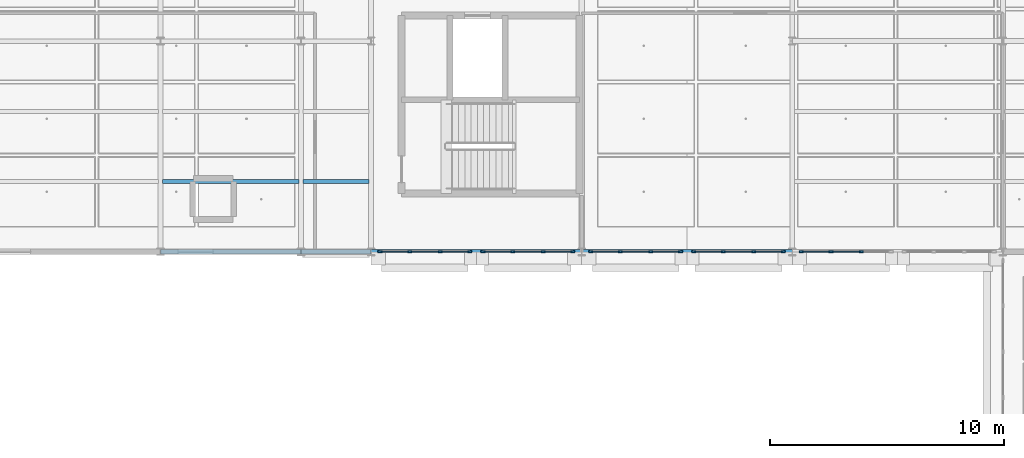
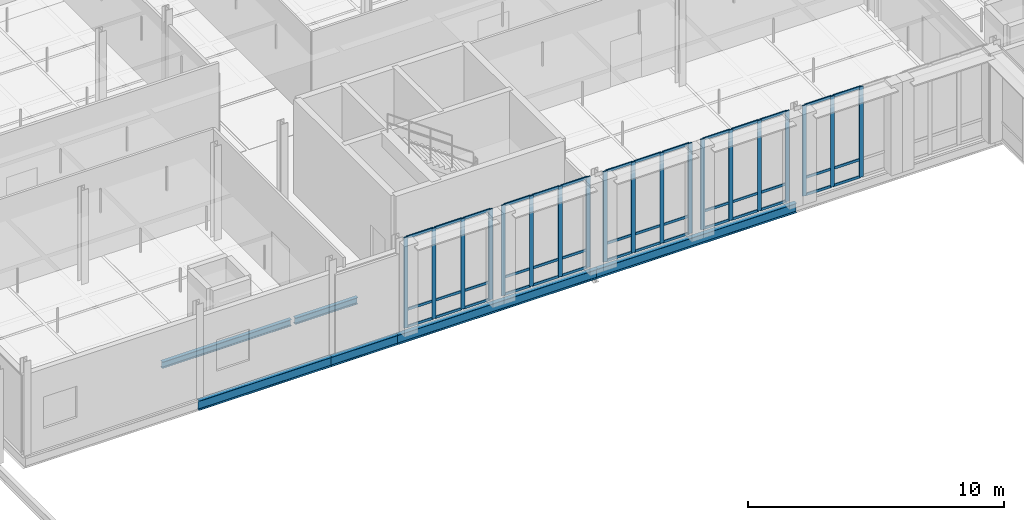
# One storey, part 36 of 130: 61 members, 6 beams, 5 elements without a shape of their own.
"""IFC4 building model written with IfcOpenShell, lengths in metres."""

from ifc_helpers import new_model, si_unit, direction, frame, origin, origin_2d, place, context, subcontext, project, spatial, rectangle, i_section, extrude, material, material_profile, profile_set, type_object, element, aggregate, save


model = new_model("IFC4")

# Units and contexts
model_context = context("Model", 3, precision=1e-05, world=origin(), true_north=direction((0.0, 1.0)))
body_context = subcontext(model_context, "Body", "Model", "MODEL_VIEW")
ifc_project = project(units=[si_unit("LENGTHUNIT", "METRE"), si_unit("AREAUNIT", "SQUARE_METRE"), si_unit("VOLUMEUNIT", "CUBIC_METRE"), si_unit("PLANEANGLEUNIT", "RADIAN"), si_unit("MASSUNIT", "GRAM", prefix="KILO"), si_unit("THERMODYNAMICTEMPERATUREUNIT", "KELVIN"), si_unit("POWERUNIT", "WATT")], contexts=[model_context])

# Site, building, storey
site_placement = place(None, origin())
site = spatial("IfcSite", under=ifc_project, at=site_placement, CompositionType="ELEMENT")
building_placement = place(site_placement, origin())
building = spatial("IfcBuilding", under=site, at=building_placement, Name="Tallowbark Science Centre", CompositionType="ELEMENT")
storey_placement = place(building_placement, frame((0.0, 0.0, 5.39990234375)))
storey = spatial("IfcBuildingStorey", under=building, at=storey_placement, Name="L01", CompositionType="ELEMENT", Elevation=5.39990234375)

# Curtain wall, members
ifc_material_1 = material(Name="Unitised Thermally Broken Aluminium and Low-E Double Glazing", Category="aluminium")
curtain_wall_type = type_object("IfcCurtainWallType", Name="CW-SYS-FACADE", PredefinedType="NOTDEFINED", material=ifc_material_1)
curtain_wall_1_placement = place(storey_placement, origin())
curtain_wall_1 = element("IfcCurtainWall", 1, at=curtain_wall_1_placement, inside=storey, type_object=curtain_wall_type, Name="Unitised Curtain Wall LAB-S-72A CW-L01-039", PredefinedType="NOTDEFINED")
ifc_material_2 = material(Name="Anodised Architectural Aluminium Alloy 6063-T6", Category="aluminium")
ifc_material_profile_1 = material_profile(ifc_material_2, rectangle(XDim=0.06494140625, YDim=0.179931640625, at=origin_2d()), Name="ALU65x180")
ifc_profile_set_1 = profile_set([ifc_material_profile_1], Name="Anodised Architectural Aluminium Alloy 6063-T6")
member_type_1 = type_object("IfcMemberType", Name="CWM-MUL-220", PredefinedType="MULLION", material=ifc_profile_set_1)
member_1_placement = place(storey_placement, frame((72.382568359375, 72.0, 0.0), z_axis=(0.0, 0.0, 1.0), x_axis=(0.0, 1.0, 0.0)))
member_1 = element("IfcMember", 2, at=member_1_placement, type_object=member_type_1, Name="CW-01 mullion 1", PredefinedType="MULLION", context=body_context, shape_type="SweptSolid", body=[
    extrude(rectangle(XDim=0.06494140625, YDim=0.179931640625, at=origin_2d()), origin(), (0.0, 0.0, 1.0), 4.320068359375),
])
member_2_placement = place(storey_placement, frame((73.64990234375, 72.0, 0.0), z_axis=(0.0, 0.0, 1.0), x_axis=(0.0, 1.0, 0.0)))
member_2 = element("IfcMember", 3, at=member_2_placement, type_object=member_type_1, Name="CW-01 mullion 2", PredefinedType="MULLION", context=body_context, shape_type="SweptSolid", body=[
    extrude(rectangle(XDim=0.06494140625, YDim=0.179931640625, at=origin_2d()), origin(), (0.0, 0.0, 1.0), 4.320068359375),
])
member_3_placement = place(storey_placement, frame((74.949951171875, 72.0, 0.0), z_axis=(0.0, 0.0, 1.0), x_axis=(0.0, 1.0, 0.0)))
member_3 = element("IfcMember", 4, at=member_3_placement, type_object=member_type_1, Name="CW-01 mullion 3", PredefinedType="MULLION", context=body_context, shape_type="SweptSolid", body=[
    extrude(rectangle(XDim=0.06494140625, YDim=0.179931640625, at=origin_2d()), origin(), (0.0, 0.0, 1.0), 4.320068359375),
])
member_4_placement = place(storey_placement, frame((76.217529296875, 72.0, 0.0), z_axis=(0.0, 0.0, 1.0), x_axis=(0.0, 1.0, 0.0)))
member_4 = element("IfcMember", 5, at=member_4_placement, type_object=member_type_1, Name="CW-01 mullion 4", PredefinedType="MULLION", context=body_context, shape_type="SweptSolid", body=[
    extrude(rectangle(XDim=0.06494140625, YDim=0.179931640625, at=origin_2d()), origin(), (0.0, 0.0, 1.0), 4.320068359375),
])

curtain_wall_2_placement = place(storey_placement, origin())
curtain_wall_2 = element("IfcCurtainWall", 6, at=curtain_wall_2_placement, inside=storey, type_object=curtain_wall_type, Name="Unitised Curtain Wall LAB-S-72B CW-L01-040", PredefinedType="NOTDEFINED")
member_5_placement = place(storey_placement, frame((76.782470703125, 72.0, 0.0), z_axis=(0.0, 0.0, 1.0), x_axis=(0.0, 1.0, 0.0)))
member_5 = element("IfcMember", 7, at=member_5_placement, type_object=member_type_1, Name="CW-01 mullion 1", PredefinedType="MULLION", context=body_context, shape_type="SweptSolid", body=[
    extrude(rectangle(XDim=0.06494140625, YDim=0.179931640625, at=origin_2d()), origin(), (0.0, 0.0, 1.0), 4.320068359375),
])
member_6_placement = place(storey_placement, frame((78.050048828125, 72.0, 0.0), z_axis=(0.0, 0.0, 1.0), x_axis=(0.0, 1.0, 0.0)))
member_6 = element("IfcMember", 8, at=member_6_placement, type_object=member_type_1, Name="CW-01 mullion 2", PredefinedType="MULLION", context=body_context, shape_type="SweptSolid", body=[
    extrude(rectangle(XDim=0.06494140625, YDim=0.179931640625, at=origin_2d()), origin(), (0.0, 0.0, 1.0), 4.320068359375),
])
member_7_placement = place(storey_placement, frame((79.35009765625, 72.0, 0.0), z_axis=(0.0, 0.0, 1.0), x_axis=(0.0, 1.0, 0.0)))
member_7 = element("IfcMember", 9, at=member_7_placement, type_object=member_type_1, Name="CW-01 mullion 3", PredefinedType="MULLION", context=body_context, shape_type="SweptSolid", body=[
    extrude(rectangle(XDim=0.06494140625, YDim=0.179931640625, at=origin_2d()), origin(), (0.0, 0.0, 1.0), 4.320068359375),
])
member_8_placement = place(storey_placement, frame((80.617431640625, 72.0, 0.0), z_axis=(0.0, 0.0, 1.0), x_axis=(0.0, 1.0, 0.0)))
member_8 = element("IfcMember", 10, at=member_8_placement, type_object=member_type_1, Name="CW-01 mullion 4", PredefinedType="MULLION", context=body_context, shape_type="SweptSolid", body=[
    extrude(rectangle(XDim=0.06494140625, YDim=0.179931640625, at=origin_2d()), origin(), (0.0, 0.0, 1.0), 4.320068359375),
])

curtain_wall_3_placement = place(storey_placement, origin())
curtain_wall_3 = element("IfcCurtainWall", 11, at=curtain_wall_3_placement, inside=storey, type_object=curtain_wall_type, Name="Unitised Curtain Wall LAB-S-81A CW-L01-041", PredefinedType="NOTDEFINED")
member_9_placement = place(storey_placement, frame((81.382568359375, 72.0, 0.0), z_axis=(0.0, 0.0, 1.0), x_axis=(0.0, 1.0, 0.0)))
member_9 = element("IfcMember", 12, at=member_9_placement, type_object=member_type_1, Name="CW-01 mullion 1", PredefinedType="MULLION", context=body_context, shape_type="SweptSolid", body=[
    extrude(rectangle(XDim=0.06494140625, YDim=0.179931640625, at=origin_2d()), origin(), (0.0, 0.0, 1.0), 4.320068359375),
])
member_10_placement = place(storey_placement, frame((82.64990234375, 72.0, 0.0), z_axis=(0.0, 0.0, 1.0), x_axis=(0.0, 1.0, 0.0)))
member_10 = element("IfcMember", 13, at=member_10_placement, type_object=member_type_1, Name="CW-01 mullion 2", PredefinedType="MULLION", context=body_context, shape_type="SweptSolid", body=[
    extrude(rectangle(XDim=0.06494140625, YDim=0.179931640625, at=origin_2d()), origin(), (0.0, 0.0, 1.0), 4.320068359375),
])
member_11_placement = place(storey_placement, frame((83.949951171875, 72.0, 0.0), z_axis=(0.0, 0.0, 1.0), x_axis=(0.0, 1.0, 0.0)))
member_11 = element("IfcMember", 14, at=member_11_placement, type_object=member_type_1, Name="CW-01 mullion 3", PredefinedType="MULLION", context=body_context, shape_type="SweptSolid", body=[
    extrude(rectangle(XDim=0.06494140625, YDim=0.179931640625, at=origin_2d()), origin(), (0.0, 0.0, 1.0), 4.320068359375),
])
member_12_placement = place(storey_placement, frame((85.217529296875, 72.0, 0.0), z_axis=(0.0, 0.0, 1.0), x_axis=(0.0, 1.0, 0.0)))
member_12 = element("IfcMember", 15, at=member_12_placement, type_object=member_type_1, Name="CW-01 mullion 4", PredefinedType="MULLION", context=body_context, shape_type="SweptSolid", body=[
    extrude(rectangle(XDim=0.06494140625, YDim=0.179931640625, at=origin_2d()), origin(), (0.0, 0.0, 1.0), 4.320068359375),
])

curtain_wall_4_placement = place(storey_placement, origin())
curtain_wall_4 = element("IfcCurtainWall", 16, at=curtain_wall_4_placement, inside=storey, type_object=curtain_wall_type, Name="Unitised Curtain Wall LAB-S-81B CW-L01-042", PredefinedType="NOTDEFINED")
member_13_placement = place(storey_placement, frame((85.782470703125, 72.0, 0.0), z_axis=(0.0, 0.0, 1.0), x_axis=(0.0, 1.0, 0.0)))
member_13 = element("IfcMember", 17, at=member_13_placement, type_object=member_type_1, Name="CW-01 mullion 1", PredefinedType="MULLION", context=body_context, shape_type="SweptSolid", body=[
    extrude(rectangle(XDim=0.06494140625, YDim=0.179931640625, at=origin_2d()), origin(), (0.0, 0.0, 1.0), 4.320068359375),
])
member_14_placement = place(storey_placement, frame((87.050048828125, 72.0, 0.0), z_axis=(0.0, 0.0, 1.0), x_axis=(0.0, 1.0, 0.0)))
member_14 = element("IfcMember", 18, at=member_14_placement, type_object=member_type_1, Name="CW-01 mullion 2", PredefinedType="MULLION", context=body_context, shape_type="SweptSolid", body=[
    extrude(rectangle(XDim=0.06494140625, YDim=0.179931640625, at=origin_2d()), origin(), (0.0, 0.0, 1.0), 4.320068359375),
])
member_15_placement = place(storey_placement, frame((88.35009765625, 72.0, 0.0), z_axis=(0.0, 0.0, 1.0), x_axis=(0.0, 1.0, 0.0)))
member_15 = element("IfcMember", 19, at=member_15_placement, type_object=member_type_1, Name="CW-01 mullion 3", PredefinedType="MULLION", context=body_context, shape_type="SweptSolid", body=[
    extrude(rectangle(XDim=0.06494140625, YDim=0.179931640625, at=origin_2d()), origin(), (0.0, 0.0, 1.0), 4.320068359375),
])
member_16_placement = place(storey_placement, frame((89.617431640625, 72.0, 0.0), z_axis=(0.0, 0.0, 1.0), x_axis=(0.0, 1.0, 0.0)))
member_16 = element("IfcMember", 20, at=member_16_placement, type_object=member_type_1, Name="CW-01 mullion 4", PredefinedType="MULLION", context=body_context, shape_type="SweptSolid", body=[
    extrude(rectangle(XDim=0.06494140625, YDim=0.179931640625, at=origin_2d()), origin(), (0.0, 0.0, 1.0), 4.320068359375),
])

curtain_wall_5_placement = place(storey_placement, origin())
curtain_wall_5 = element("IfcCurtainWall", 21, at=curtain_wall_5_placement, inside=storey, type_object=curtain_wall_type, Name="Unitised Curtain Wall LAB-S-90A CW-L01-043", PredefinedType="NOTDEFINED")
member_17_placement = place(storey_placement, frame((90.382568359375, 72.0, 0.0), z_axis=(0.0, 0.0, 1.0), x_axis=(0.0, 1.0, 0.0)))
member_17 = element("IfcMember", 22, at=member_17_placement, type_object=member_type_1, Name="CW-01 mullion 1", PredefinedType="MULLION", context=body_context, shape_type="SweptSolid", body=[
    extrude(rectangle(XDim=0.06494140625, YDim=0.179931640625, at=origin_2d()), origin(), (0.0, 0.0, 1.0), 4.320068359375),
])
member_18_placement = place(storey_placement, frame((91.64990234375, 72.0, 0.0), z_axis=(0.0, 0.0, 1.0), x_axis=(0.0, 1.0, 0.0)))
member_18 = element("IfcMember", 23, at=member_18_placement, type_object=member_type_1, Name="CW-01 mullion 2", PredefinedType="MULLION", context=body_context, shape_type="SweptSolid", body=[
    extrude(rectangle(XDim=0.06494140625, YDim=0.179931640625, at=origin_2d()), origin(), (0.0, 0.0, 1.0), 4.320068359375),
])
member_19_placement = place(storey_placement, frame((92.949951171875, 72.0, 0.0), z_axis=(0.0, 0.0, 1.0), x_axis=(0.0, 1.0, 0.0)))
member_19 = element("IfcMember", 24, at=member_19_placement, type_object=member_type_1, Name="CW-01 mullion 3", PredefinedType="MULLION", context=body_context, shape_type="SweptSolid", body=[
    extrude(rectangle(XDim=0.06494140625, YDim=0.179931640625, at=origin_2d()), origin(), (0.0, 0.0, 1.0), 4.320068359375),
])

# Member
ifc_material_profile_2 = material_profile(ifc_material_2, rectangle(XDim=0.054931640625, YDim=0.1201171875, at=origin_2d()), Name="ALU55x120")
ifc_profile_set_2 = profile_set([ifc_material_profile_2], Name="Anodised Architectural Aluminium Alloy 6063-T6")
member_type_2 = type_object("IfcMemberType", Name="CWM-TRN-150", PredefinedType="USERDEFINED", material=ifc_profile_set_2)
member_20_placement = place(storey_placement, frame((72.4150390625, 72.0, 0.027587890625), z_axis=(1.0, 0.0, 0.0), x_axis=(0.0, 1.0, 0.0)))
member_20 = element("IfcMember", 25, at=member_20_placement, type_object=member_type_2, Name="CW-01 transom 1.1", ObjectType="TRANSOM", PredefinedType="USERDEFINED", context=body_context, shape_type="SweptSolid", body=[
    extrude(rectangle(XDim=0.054931640625, YDim=0.1201171875, at=origin_2d()), origin(), (0.0, 0.0, 1.0), 1.202392578125),
])

member_21_placement = place(storey_placement, frame((72.4150390625, 72.0, 0.85009765625), z_axis=(1.0, 0.0, 0.0), x_axis=(0.0, 1.0, 0.0)))
member_21 = element("IfcMember", 26, at=member_21_placement, type_object=member_type_2, Name="CW-01 transom 1.2", ObjectType="TRANSOM", PredefinedType="USERDEFINED", context=body_context, shape_type="SweptSolid", body=[
    extrude(rectangle(XDim=0.054931640625, YDim=0.1201171875, at=origin_2d()), origin(), (0.0, 0.0, 1.0), 1.202392578125),
])

member_22_placement = place(storey_placement, frame((72.4150390625, 72.0, 4.29248046875), z_axis=(1.0, 0.0, 0.0), x_axis=(0.0, 1.0, 0.0)))
member_22 = element("IfcMember", 27, at=member_22_placement, type_object=member_type_2, Name="CW-01 transom 1.3", ObjectType="TRANSOM", PredefinedType="USERDEFINED", context=body_context, shape_type="SweptSolid", body=[
    extrude(rectangle(XDim=0.054931640625, YDim=0.1201171875, at=origin_2d()), origin(), (0.0, 0.0, 1.0), 1.202392578125),
])

member_23_placement = place(storey_placement, frame((73.6826171875, 72.0, 0.027587890625), z_axis=(1.0, 0.0, 0.0), x_axis=(0.0, 1.0, 0.0)))
member_23 = element("IfcMember", 28, at=member_23_placement, type_object=member_type_2, Name="CW-01 transom 2.1", ObjectType="TRANSOM", PredefinedType="USERDEFINED", context=body_context, shape_type="SweptSolid", body=[
    extrude(rectangle(XDim=0.054931640625, YDim=0.1201171875, at=origin_2d()), origin(), (0.0, 0.0, 1.0), 1.23486328125),
])

member_24_placement = place(storey_placement, frame((73.6826171875, 72.0, 0.85009765625), z_axis=(1.0, 0.0, 0.0), x_axis=(0.0, 1.0, 0.0)))
member_24 = element("IfcMember", 29, at=member_24_placement, type_object=member_type_2, Name="CW-01 transom 2.2", ObjectType="TRANSOM", PredefinedType="USERDEFINED", context=body_context, shape_type="SweptSolid", body=[
    extrude(rectangle(XDim=0.054931640625, YDim=0.1201171875, at=origin_2d()), origin(), (0.0, 0.0, 1.0), 1.23486328125),
])

member_25_placement = place(storey_placement, frame((73.6826171875, 72.0, 4.29248046875), z_axis=(1.0, 0.0, 0.0), x_axis=(0.0, 1.0, 0.0)))
member_25 = element("IfcMember", 30, at=member_25_placement, type_object=member_type_2, Name="CW-01 transom 2.3", ObjectType="TRANSOM", PredefinedType="USERDEFINED", context=body_context, shape_type="SweptSolid", body=[
    extrude(rectangle(XDim=0.054931640625, YDim=0.1201171875, at=origin_2d()), origin(), (0.0, 0.0, 1.0), 1.23486328125),
])

member_26_placement = place(storey_placement, frame((74.982421875, 72.0, 0.027587890625), z_axis=(1.0, 0.0, 0.0), x_axis=(0.0, 1.0, 0.0)))
member_26 = element("IfcMember", 31, at=member_26_placement, type_object=member_type_2, Name="CW-01 transom 3.1", ObjectType="TRANSOM", PredefinedType="USERDEFINED", context=body_context, shape_type="SweptSolid", body=[
    extrude(rectangle(XDim=0.054931640625, YDim=0.1201171875, at=origin_2d()), origin(), (0.0, 0.0, 1.0), 1.20263671875),
])

member_27_placement = place(storey_placement, frame((74.982421875, 72.0, 0.85009765625), z_axis=(1.0, 0.0, 0.0), x_axis=(0.0, 1.0, 0.0)))
member_27 = element("IfcMember", 32, at=member_27_placement, type_object=member_type_2, Name="CW-01 transom 3.2", ObjectType="TRANSOM", PredefinedType="USERDEFINED", context=body_context, shape_type="SweptSolid", body=[
    extrude(rectangle(XDim=0.054931640625, YDim=0.1201171875, at=origin_2d()), origin(), (0.0, 0.0, 1.0), 1.20263671875),
])

member_28_placement = place(storey_placement, frame((74.982421875, 72.0, 4.29248046875), z_axis=(1.0, 0.0, 0.0), x_axis=(0.0, 1.0, 0.0)))
member_28 = element("IfcMember", 33, at=member_28_placement, type_object=member_type_2, Name="CW-01 transom 3.3", ObjectType="TRANSOM", PredefinedType="USERDEFINED", context=body_context, shape_type="SweptSolid", body=[
    extrude(rectangle(XDim=0.054931640625, YDim=0.1201171875, at=origin_2d()), origin(), (0.0, 0.0, 1.0), 1.20263671875),
])

aggregate(curtain_wall_1, [member_1, member_2, member_3, member_4, member_20, member_21, member_22, member_23, member_24, member_25, member_26, member_27, member_28])

member_29_placement = place(storey_placement, frame((76.81494140625, 72.0, 0.027587890625), z_axis=(1.0, 0.0, 0.0), x_axis=(0.0, 1.0, 0.0)))
member_29 = element("IfcMember", 34, at=member_29_placement, type_object=member_type_2, Name="CW-01 transom 1.1", ObjectType="TRANSOM", PredefinedType="USERDEFINED", context=body_context, shape_type="SweptSolid", body=[
    extrude(rectangle(XDim=0.054931640625, YDim=0.1201171875, at=origin_2d()), origin(), (0.0, 0.0, 1.0), 1.20263671875),
])

member_30_placement = place(storey_placement, frame((76.81494140625, 72.0, 0.85009765625), z_axis=(1.0, 0.0, 0.0), x_axis=(0.0, 1.0, 0.0)))
member_30 = element("IfcMember", 35, at=member_30_placement, type_object=member_type_2, Name="CW-01 transom 1.2", ObjectType="TRANSOM", PredefinedType="USERDEFINED", context=body_context, shape_type="SweptSolid", body=[
    extrude(rectangle(XDim=0.054931640625, YDim=0.1201171875, at=origin_2d()), origin(), (0.0, 0.0, 1.0), 1.20263671875),
])

member_31_placement = place(storey_placement, frame((76.81494140625, 72.0, 4.29248046875), z_axis=(1.0, 0.0, 0.0), x_axis=(0.0, 1.0, 0.0)))
member_31 = element("IfcMember", 36, at=member_31_placement, type_object=member_type_2, Name="CW-01 transom 1.3", ObjectType="TRANSOM", PredefinedType="USERDEFINED", context=body_context, shape_type="SweptSolid", body=[
    extrude(rectangle(XDim=0.054931640625, YDim=0.1201171875, at=origin_2d()), origin(), (0.0, 0.0, 1.0), 1.20263671875),
])

member_32_placement = place(storey_placement, frame((78.08251953125, 72.0, 0.027587890625), z_axis=(1.0, 0.0, 0.0), x_axis=(0.0, 1.0, 0.0)))
member_32 = element("IfcMember", 37, at=member_32_placement, type_object=member_type_2, Name="CW-01 transom 2.1", ObjectType="TRANSOM", PredefinedType="USERDEFINED", context=body_context, shape_type="SweptSolid", body=[
    extrude(rectangle(XDim=0.054931640625, YDim=0.1201171875, at=origin_2d()), origin(), (0.0, 0.0, 1.0), 1.23486328125),
])

member_33_placement = place(storey_placement, frame((78.08251953125, 72.0, 0.85009765625), z_axis=(1.0, 0.0, 0.0), x_axis=(0.0, 1.0, 0.0)))
member_33 = element("IfcMember", 38, at=member_33_placement, type_object=member_type_2, Name="CW-01 transom 2.2", ObjectType="TRANSOM", PredefinedType="USERDEFINED", context=body_context, shape_type="SweptSolid", body=[
    extrude(rectangle(XDim=0.054931640625, YDim=0.1201171875, at=origin_2d()), origin(), (0.0, 0.0, 1.0), 1.23486328125),
])

member_34_placement = place(storey_placement, frame((78.08251953125, 72.0, 4.29248046875), z_axis=(1.0, 0.0, 0.0), x_axis=(0.0, 1.0, 0.0)))
member_34 = element("IfcMember", 39, at=member_34_placement, type_object=member_type_2, Name="CW-01 transom 2.3", ObjectType="TRANSOM", PredefinedType="USERDEFINED", context=body_context, shape_type="SweptSolid", body=[
    extrude(rectangle(XDim=0.054931640625, YDim=0.1201171875, at=origin_2d()), origin(), (0.0, 0.0, 1.0), 1.23486328125),
])

member_35_placement = place(storey_placement, frame((79.382568359375, 72.0, 0.027587890625), z_axis=(1.0, 0.0, 0.0), x_axis=(0.0, 1.0, 0.0)))
member_35 = element("IfcMember", 40, at=member_35_placement, type_object=member_type_2, Name="CW-01 transom 3.1", ObjectType="TRANSOM", PredefinedType="USERDEFINED", context=body_context, shape_type="SweptSolid", body=[
    extrude(rectangle(XDim=0.054931640625, YDim=0.1201171875, at=origin_2d()), origin(), (0.0, 0.0, 1.0), 1.202392578125),
])

member_36_placement = place(storey_placement, frame((79.382568359375, 72.0, 0.85009765625), z_axis=(1.0, 0.0, 0.0), x_axis=(0.0, 1.0, 0.0)))
member_36 = element("IfcMember", 41, at=member_36_placement, type_object=member_type_2, Name="CW-01 transom 3.2", ObjectType="TRANSOM", PredefinedType="USERDEFINED", context=body_context, shape_type="SweptSolid", body=[
    extrude(rectangle(XDim=0.054931640625, YDim=0.1201171875, at=origin_2d()), origin(), (0.0, 0.0, 1.0), 1.202392578125),
])

member_37_placement = place(storey_placement, frame((79.382568359375, 72.0, 4.29248046875), z_axis=(1.0, 0.0, 0.0), x_axis=(0.0, 1.0, 0.0)))
member_37 = element("IfcMember", 42, at=member_37_placement, type_object=member_type_2, Name="CW-01 transom 3.3", ObjectType="TRANSOM", PredefinedType="USERDEFINED", context=body_context, shape_type="SweptSolid", body=[
    extrude(rectangle(XDim=0.054931640625, YDim=0.1201171875, at=origin_2d()), origin(), (0.0, 0.0, 1.0), 1.202392578125),
])

aggregate(curtain_wall_2, [member_5, member_6, member_7, member_8, member_29, member_30, member_31, member_32, member_33, member_34, member_35, member_36, member_37])

member_38_placement = place(storey_placement, frame((81.4150390625, 72.0, 0.027587890625), z_axis=(1.0, 0.0, 0.0), x_axis=(0.0, 1.0, 0.0)))
member_38 = element("IfcMember", 43, at=member_38_placement, type_object=member_type_2, Name="CW-01 transom 1.1", ObjectType="TRANSOM", PredefinedType="USERDEFINED", context=body_context, shape_type="SweptSolid", body=[
    extrude(rectangle(XDim=0.054931640625, YDim=0.1201171875, at=origin_2d()), origin(), (0.0, 0.0, 1.0), 1.202392578125),
])

member_39_placement = place(storey_placement, frame((81.4150390625, 72.0, 0.85009765625), z_axis=(1.0, 0.0, 0.0), x_axis=(0.0, 1.0, 0.0)))
member_39 = element("IfcMember", 44, at=member_39_placement, type_object=member_type_2, Name="CW-01 transom 1.2", ObjectType="TRANSOM", PredefinedType="USERDEFINED", context=body_context, shape_type="SweptSolid", body=[
    extrude(rectangle(XDim=0.054931640625, YDim=0.1201171875, at=origin_2d()), origin(), (0.0, 0.0, 1.0), 1.202392578125),
])

member_40_placement = place(storey_placement, frame((81.4150390625, 72.0, 4.29248046875), z_axis=(1.0, 0.0, 0.0), x_axis=(0.0, 1.0, 0.0)))
member_40 = element("IfcMember", 45, at=member_40_placement, type_object=member_type_2, Name="CW-01 transom 1.3", ObjectType="TRANSOM", PredefinedType="USERDEFINED", context=body_context, shape_type="SweptSolid", body=[
    extrude(rectangle(XDim=0.054931640625, YDim=0.1201171875, at=origin_2d()), origin(), (0.0, 0.0, 1.0), 1.202392578125),
])

member_41_placement = place(storey_placement, frame((82.6826171875, 72.0, 0.027587890625), z_axis=(1.0, 0.0, 0.0), x_axis=(0.0, 1.0, 0.0)))
member_41 = element("IfcMember", 46, at=member_41_placement, type_object=member_type_2, Name="CW-01 transom 2.1", ObjectType="TRANSOM", PredefinedType="USERDEFINED", context=body_context, shape_type="SweptSolid", body=[
    extrude(rectangle(XDim=0.054931640625, YDim=0.1201171875, at=origin_2d()), origin(), (0.0, 0.0, 1.0), 1.23486328125),
])

member_42_placement = place(storey_placement, frame((82.6826171875, 72.0, 0.85009765625), z_axis=(1.0, 0.0, 0.0), x_axis=(0.0, 1.0, 0.0)))
member_42 = element("IfcMember", 47, at=member_42_placement, type_object=member_type_2, Name="CW-01 transom 2.2", ObjectType="TRANSOM", PredefinedType="USERDEFINED", context=body_context, shape_type="SweptSolid", body=[
    extrude(rectangle(XDim=0.054931640625, YDim=0.1201171875, at=origin_2d()), origin(), (0.0, 0.0, 1.0), 1.23486328125),
])

member_43_placement = place(storey_placement, frame((82.6826171875, 72.0, 4.29248046875), z_axis=(1.0, 0.0, 0.0), x_axis=(0.0, 1.0, 0.0)))
member_43 = element("IfcMember", 48, at=member_43_placement, type_object=member_type_2, Name="CW-01 transom 2.3", ObjectType="TRANSOM", PredefinedType="USERDEFINED", context=body_context, shape_type="SweptSolid", body=[
    extrude(rectangle(XDim=0.054931640625, YDim=0.1201171875, at=origin_2d()), origin(), (0.0, 0.0, 1.0), 1.23486328125),
])

member_44_placement = place(storey_placement, frame((83.982421875, 72.0, 0.027587890625), z_axis=(1.0, 0.0, 0.0), x_axis=(0.0, 1.0, 0.0)))
member_44 = element("IfcMember", 49, at=member_44_placement, type_object=member_type_2, Name="CW-01 transom 3.1", ObjectType="TRANSOM", PredefinedType="USERDEFINED", context=body_context, shape_type="SweptSolid", body=[
    extrude(rectangle(XDim=0.054931640625, YDim=0.1201171875, at=origin_2d()), origin(), (0.0, 0.0, 1.0), 1.20263671875),
])

member_45_placement = place(storey_placement, frame((83.982421875, 72.0, 0.85009765625), z_axis=(1.0, 0.0, 0.0), x_axis=(0.0, 1.0, 0.0)))
member_45 = element("IfcMember", 50, at=member_45_placement, type_object=member_type_2, Name="CW-01 transom 3.2", ObjectType="TRANSOM", PredefinedType="USERDEFINED", context=body_context, shape_type="SweptSolid", body=[
    extrude(rectangle(XDim=0.054931640625, YDim=0.1201171875, at=origin_2d()), origin(), (0.0, 0.0, 1.0), 1.20263671875),
])

member_46_placement = place(storey_placement, frame((83.982421875, 72.0, 4.29248046875), z_axis=(1.0, 0.0, 0.0), x_axis=(0.0, 1.0, 0.0)))
member_46 = element("IfcMember", 51, at=member_46_placement, type_object=member_type_2, Name="CW-01 transom 3.3", ObjectType="TRANSOM", PredefinedType="USERDEFINED", context=body_context, shape_type="SweptSolid", body=[
    extrude(rectangle(XDim=0.054931640625, YDim=0.1201171875, at=origin_2d()), origin(), (0.0, 0.0, 1.0), 1.20263671875),
])

aggregate(curtain_wall_3, [member_9, member_10, member_11, member_12, member_38, member_39, member_40, member_41, member_42, member_43, member_44, member_45, member_46])

member_47_placement = place(storey_placement, frame((85.81494140625, 72.0, 0.027587890625), z_axis=(1.0, 0.0, 0.0), x_axis=(0.0, 1.0, 0.0)))
member_47 = element("IfcMember", 52, at=member_47_placement, type_object=member_type_2, Name="CW-01 transom 1.1", ObjectType="TRANSOM", PredefinedType="USERDEFINED", context=body_context, shape_type="SweptSolid", body=[
    extrude(rectangle(XDim=0.054931640625, YDim=0.1201171875, at=origin_2d()), origin(), (0.0, 0.0, 1.0), 1.20263671875),
])

member_48_placement = place(storey_placement, frame((85.81494140625, 72.0, 0.85009765625), z_axis=(1.0, 0.0, 0.0), x_axis=(0.0, 1.0, 0.0)))
member_48 = element("IfcMember", 53, at=member_48_placement, type_object=member_type_2, Name="CW-01 transom 1.2", ObjectType="TRANSOM", PredefinedType="USERDEFINED", context=body_context, shape_type="SweptSolid", body=[
    extrude(rectangle(XDim=0.054931640625, YDim=0.1201171875, at=origin_2d()), origin(), (0.0, 0.0, 1.0), 1.20263671875),
])

member_49_placement = place(storey_placement, frame((85.81494140625, 72.0, 4.29248046875), z_axis=(1.0, 0.0, 0.0), x_axis=(0.0, 1.0, 0.0)))
member_49 = element("IfcMember", 54, at=member_49_placement, type_object=member_type_2, Name="CW-01 transom 1.3", ObjectType="TRANSOM", PredefinedType="USERDEFINED", context=body_context, shape_type="SweptSolid", body=[
    extrude(rectangle(XDim=0.054931640625, YDim=0.1201171875, at=origin_2d()), origin(), (0.0, 0.0, 1.0), 1.20263671875),
])

member_50_placement = place(storey_placement, frame((87.08251953125, 72.0, 0.027587890625), z_axis=(1.0, 0.0, 0.0), x_axis=(0.0, 1.0, 0.0)))
member_50 = element("IfcMember", 55, at=member_50_placement, type_object=member_type_2, Name="CW-01 transom 2.1", ObjectType="TRANSOM", PredefinedType="USERDEFINED", context=body_context, shape_type="SweptSolid", body=[
    extrude(rectangle(XDim=0.054931640625, YDim=0.1201171875, at=origin_2d()), origin(), (0.0, 0.0, 1.0), 1.23486328125),
])

member_51_placement = place(storey_placement, frame((87.08251953125, 72.0, 0.85009765625), z_axis=(1.0, 0.0, 0.0), x_axis=(0.0, 1.0, 0.0)))
member_51 = element("IfcMember", 56, at=member_51_placement, type_object=member_type_2, Name="CW-01 transom 2.2", ObjectType="TRANSOM", PredefinedType="USERDEFINED", context=body_context, shape_type="SweptSolid", body=[
    extrude(rectangle(XDim=0.054931640625, YDim=0.1201171875, at=origin_2d()), origin(), (0.0, 0.0, 1.0), 1.23486328125),
])

member_52_placement = place(storey_placement, frame((87.08251953125, 72.0, 4.29248046875), z_axis=(1.0, 0.0, 0.0), x_axis=(0.0, 1.0, 0.0)))
member_52 = element("IfcMember", 57, at=member_52_placement, type_object=member_type_2, Name="CW-01 transom 2.3", ObjectType="TRANSOM", PredefinedType="USERDEFINED", context=body_context, shape_type="SweptSolid", body=[
    extrude(rectangle(XDim=0.054931640625, YDim=0.1201171875, at=origin_2d()), origin(), (0.0, 0.0, 1.0), 1.23486328125),
])

member_53_placement = place(storey_placement, frame((88.382568359375, 72.0, 0.027587890625), z_axis=(1.0, 0.0, 0.0), x_axis=(0.0, 1.0, 0.0)))
member_53 = element("IfcMember", 58, at=member_53_placement, type_object=member_type_2, Name="CW-01 transom 3.1", ObjectType="TRANSOM", PredefinedType="USERDEFINED", context=body_context, shape_type="SweptSolid", body=[
    extrude(rectangle(XDim=0.054931640625, YDim=0.1201171875, at=origin_2d()), origin(), (0.0, 0.0, 1.0), 1.202392578125),
])

member_54_placement = place(storey_placement, frame((88.382568359375, 72.0, 0.85009765625), z_axis=(1.0, 0.0, 0.0), x_axis=(0.0, 1.0, 0.0)))
member_54 = element("IfcMember", 59, at=member_54_placement, type_object=member_type_2, Name="CW-01 transom 3.2", ObjectType="TRANSOM", PredefinedType="USERDEFINED", context=body_context, shape_type="SweptSolid", body=[
    extrude(rectangle(XDim=0.054931640625, YDim=0.1201171875, at=origin_2d()), origin(), (0.0, 0.0, 1.0), 1.202392578125),
])

member_55_placement = place(storey_placement, frame((88.382568359375, 72.0, 4.29248046875), z_axis=(1.0, 0.0, 0.0), x_axis=(0.0, 1.0, 0.0)))
member_55 = element("IfcMember", 60, at=member_55_placement, type_object=member_type_2, Name="CW-01 transom 3.3", ObjectType="TRANSOM", PredefinedType="USERDEFINED", context=body_context, shape_type="SweptSolid", body=[
    extrude(rectangle(XDim=0.054931640625, YDim=0.1201171875, at=origin_2d()), origin(), (0.0, 0.0, 1.0), 1.202392578125),
])

aggregate(curtain_wall_4, [member_13, member_14, member_15, member_16, member_47, member_48, member_49, member_50, member_51, member_52, member_53, member_54, member_55])

member_56_placement = place(storey_placement, frame((90.4150390625, 72.0, 0.027587890625), z_axis=(1.0, 0.0, 0.0), x_axis=(0.0, 1.0, 0.0)))
member_56 = element("IfcMember", 61, at=member_56_placement, type_object=member_type_2, Name="CW-01 transom 1.1", ObjectType="TRANSOM", PredefinedType="USERDEFINED", context=body_context, shape_type="SweptSolid", body=[
    extrude(rectangle(XDim=0.054931640625, YDim=0.1201171875, at=origin_2d()), origin(), (0.0, 0.0, 1.0), 1.202392578125),
])

member_57_placement = place(storey_placement, frame((90.4150390625, 72.0, 0.85009765625), z_axis=(1.0, 0.0, 0.0), x_axis=(0.0, 1.0, 0.0)))
member_57 = element("IfcMember", 62, at=member_57_placement, type_object=member_type_2, Name="CW-01 transom 1.2", ObjectType="TRANSOM", PredefinedType="USERDEFINED", context=body_context, shape_type="SweptSolid", body=[
    extrude(rectangle(XDim=0.054931640625, YDim=0.1201171875, at=origin_2d()), origin(), (0.0, 0.0, 1.0), 1.202392578125),
])

member_58_placement = place(storey_placement, frame((90.4150390625, 72.0, 4.29248046875), z_axis=(1.0, 0.0, 0.0), x_axis=(0.0, 1.0, 0.0)))
member_58 = element("IfcMember", 63, at=member_58_placement, type_object=member_type_2, Name="CW-01 transom 1.3", ObjectType="TRANSOM", PredefinedType="USERDEFINED", context=body_context, shape_type="SweptSolid", body=[
    extrude(rectangle(XDim=0.054931640625, YDim=0.1201171875, at=origin_2d()), origin(), (0.0, 0.0, 1.0), 1.202392578125),
])

member_59_placement = place(storey_placement, frame((91.6826171875, 72.0, 0.027587890625), z_axis=(1.0, 0.0, 0.0), x_axis=(0.0, 1.0, 0.0)))
member_59 = element("IfcMember", 64, at=member_59_placement, type_object=member_type_2, Name="CW-01 transom 2.1", ObjectType="TRANSOM", PredefinedType="USERDEFINED", context=body_context, shape_type="SweptSolid", body=[
    extrude(rectangle(XDim=0.054931640625, YDim=0.1201171875, at=origin_2d()), origin(), (0.0, 0.0, 1.0), 1.23486328125),
])

member_60_placement = place(storey_placement, frame((91.6826171875, 72.0, 0.85009765625), z_axis=(1.0, 0.0, 0.0), x_axis=(0.0, 1.0, 0.0)))
member_60 = element("IfcMember", 65, at=member_60_placement, type_object=member_type_2, Name="CW-01 transom 2.2", ObjectType="TRANSOM", PredefinedType="USERDEFINED", context=body_context, shape_type="SweptSolid", body=[
    extrude(rectangle(XDim=0.054931640625, YDim=0.1201171875, at=origin_2d()), origin(), (0.0, 0.0, 1.0), 1.23486328125),
])

member_61_placement = place(storey_placement, frame((91.6826171875, 72.0, 4.29248046875), z_axis=(1.0, 0.0, 0.0), x_axis=(0.0, 1.0, 0.0)))
member_61 = element("IfcMember", 66, at=member_61_placement, type_object=member_type_2, Name="CW-01 transom 2.3", ObjectType="TRANSOM", PredefinedType="USERDEFINED", context=body_context, shape_type="SweptSolid", body=[
    extrude(rectangle(XDim=0.054931640625, YDim=0.1201171875, at=origin_2d()), origin(), (0.0, 0.0, 1.0), 1.23486328125),
])

aggregate(curtain_wall_5, [member_17, member_18, member_19, member_56, member_57, member_58, member_59, member_60, member_61])

# Beams
ifc_material_3 = material(Name="Structural Steel Grade 300PLUS (300 MPa)", Category="steel")
ifc_material_profile_3 = material_profile(ifc_material_3, i_section(OverallWidth=0.166015625, OverallDepth=0.30712890625, WebThickness=0.006591796875, FlangeThickness=0.01171875, FilletRadius=0.011474609375, at=origin_2d()), Name="310UB46.2")
ifc_profile_set_3 = profile_set([ifc_material_profile_3], Name="Structural Steel Grade 300PLUS (300 MPa)")
beam_type_1 = type_object("IfcBeamType", Name="JST-UB310", PredefinedType="JOIST", material=ifc_profile_set_3)
beam_1_placement = place(storey_placement, frame((63.0849609375, 75.0, -0.33349609375), z_axis=(1.0, 0.0, 0.0), x_axis=(0.0, 1.0, 0.0)))
element("IfcBeam", 67, at=beam_1_placement, inside=storey, type_object=beam_type_1, Name="Composite Floor Joist JSTX-L01-630-750", PredefinedType="JOIST", context=body_context, shape_type="SweptSolid", body=[
    extrude(i_section(OverallWidth=0.166015625, OverallDepth=0.30712890625, WebThickness=0.006591796875, FlangeThickness=0.01171875, FilletRadius=0.011474609375, at=origin_2d()), origin(), (0.0, 0.0, 1.0), 5.830078125),
])
beam_2_placement = place(storey_placement, frame((69.0849609375, 75.0, -0.33349609375), z_axis=(1.0, 0.0, 0.0), x_axis=(0.0, 1.0, 0.0)))
element("IfcBeam", 68, at=beam_2_placement, inside=storey, type_object=beam_type_1, Name="Composite Floor Joist JSTX-L01-690-750", PredefinedType="JOIST", context=body_context, shape_type="SweptSolid", body=[
    extrude(i_section(OverallWidth=0.166015625, OverallDepth=0.30712890625, WebThickness=0.006591796875, FlangeThickness=0.01171875, FilletRadius=0.011474609375, at=origin_2d()), origin(), (0.0, 0.0, 1.0), 2.830078125),
])
ifc_material_profile_4 = material_profile(ifc_material_3, i_section(OverallWidth=0.18994140625, OverallDepth=0.453857421875, WebThickness=0.008544921875, FlangeThickness=0.0126953125, FilletRadius=0.011474609375, at=origin_2d()), Name="460UB67.1")
ifc_profile_set_4 = profile_set([ifc_material_profile_4], Name="Structural Steel Grade 300PLUS (300 MPa)")
beam_type_2 = type_object("IfcBeamType", Name="SPN-UB460", PredefinedType="SPANDREL", material=ifc_profile_set_4)
beam_3_placement = place(storey_placement, frame((63.0, 72.0, -0.40673828125), z_axis=(1.0, 0.0, 0.0), x_axis=(0.0, 1.0, 0.0)))
element("IfcBeam", 69, at=beam_3_placement, inside=storey, type_object=beam_type_2, Name="Primary Girder GRDX-L01-630-690-720", PredefinedType="SPANDREL", context=body_context, shape_type="SweptSolid", body=[
    extrude(i_section(OverallWidth=0.18994140625, OverallDepth=0.453857421875, WebThickness=0.008544921875, FlangeThickness=0.0126953125, FilletRadius=0.011474609375, at=origin_2d()), origin(), (0.0, 0.0, 1.0), 6.0),
])
beam_4_placement = place(storey_placement, frame((69.0, 72.0, -0.40673828125), z_axis=(1.0, 0.0, 0.0), x_axis=(0.0, 1.0, 0.0)))
element("IfcBeam", 70, at=beam_4_placement, inside=storey, type_object=beam_type_2, Name="Primary Girder GRDX-L01-690-720-720", PredefinedType="SPANDREL", context=body_context, shape_type="SweptSolid", body=[
    extrude(i_section(OverallWidth=0.18994140625, OverallDepth=0.453857421875, WebThickness=0.008544921875, FlangeThickness=0.0126953125, FilletRadius=0.011474609375, at=origin_2d()), origin(), (0.0, 0.0, 1.0), 3.0),
])
for number, where, z_axis, x_axis, name in (
    (71, (72.0, 72.0, -0.40673828125), (1.0, 0.0, 0.0), (0.0, 1.0, 0.0), "Primary Girder GRDX-L01-720-810-720"),
    (72, (81.0, 72.0, -0.40673828125), (1.0, 0.0, 0.0), (0.0, 1.0, 0.0), "Primary Girder GRDX-L01-810-900-720"),
):
    element("IfcBeam", number, at=place(storey_placement, frame(where, z_axis=z_axis, x_axis=x_axis)), inside=storey, type_object=beam_type_2, Name=name, PredefinedType="SPANDREL", context=body_context, shape_type="SweptSolid", body=[
        extrude(i_section(OverallWidth=0.18994140625, OverallDepth=0.453857421875, WebThickness=0.008544921875, FlangeThickness=0.0126953125, FilletRadius=0.011474609375, at=origin_2d()), origin(), (0.0, 0.0, 1.0), 9.0),
    ])

save(model, "model.ifc")
